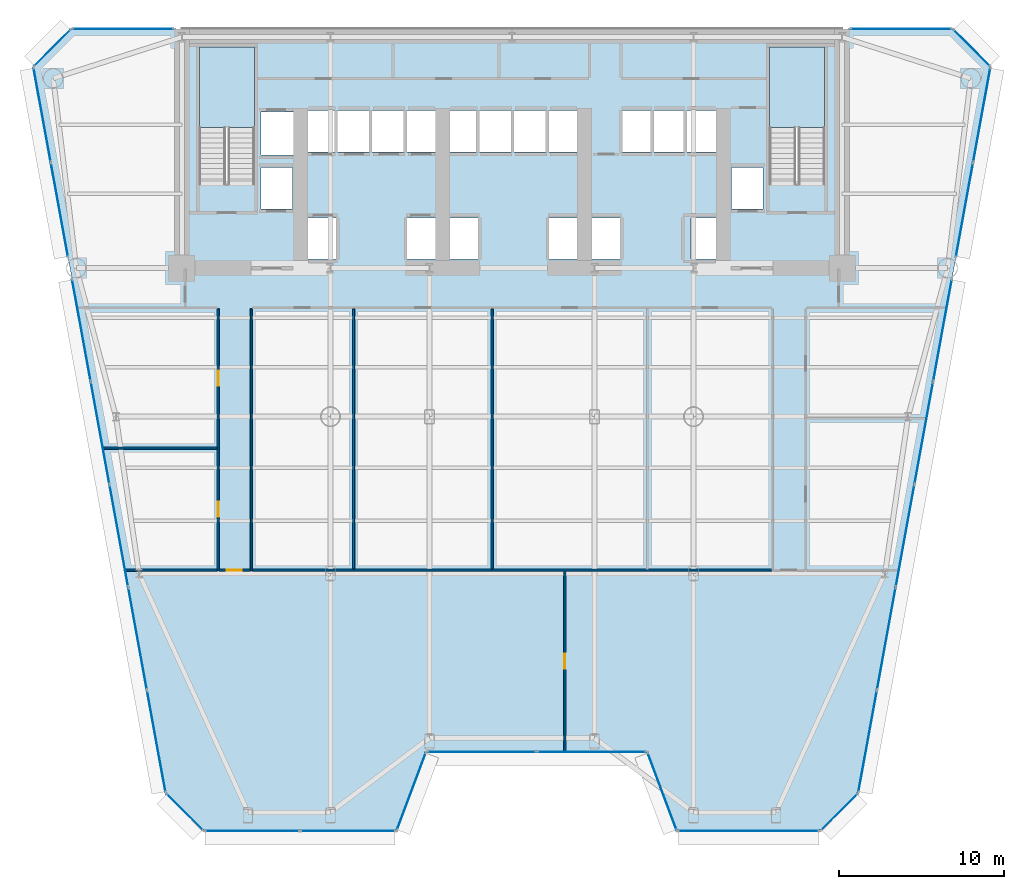
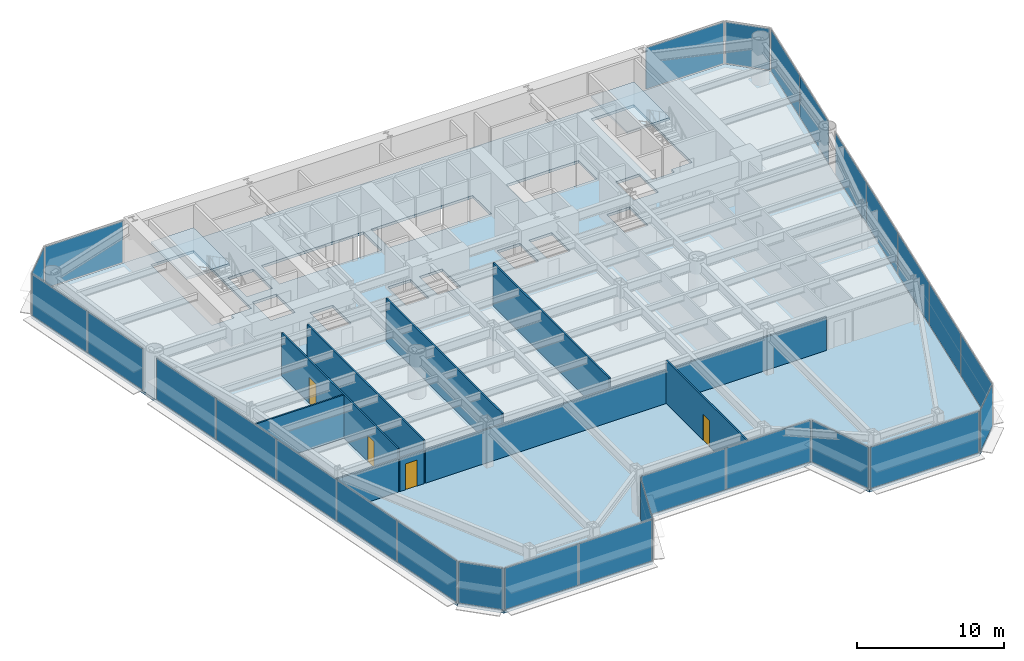
# One storey, part 7 of 14: 27 plates, 9 walls, 4 doors, 3 slabs, 4 openings, 17 elements without a shape of their own.
"""IFC4 building model written with IfcOpenShell, lengths in metres."""

import ifcopenshell
import ifcopenshell.guid

model = None  # the IFC model being written
_history = None  # IfcOwnerHistory: only IFC2X3 demands one
_inside = {}  # id of a spatial element -> (the spatial element, [elements in it])
_under = {}  # id of a project, library or spatial element -> (it, [spatial elements below it])
_declared = {}  # id of a project -> (the project, [libraries it declares])
_typed = {}  # id of a type object -> (the type object, [elements of that type])
_made_of = {}  # id of a material, layer set ... -> (it, [elements and type objects made of it])


def new_model(schema):
    """Start an empty IFC model of exactly this schema.

    Asked for "IFC4X3", IfcOpenShell would pick the latest addendum, in which some entities
    have other attributes; the version numbers below select the first issue.
    IFC2X3 requires an IfcOwnerHistory on every rooted entity: one is made here for all.
    """
    global model, _history
    if schema == "IFC4X3":
        model = ifcopenshell.file(schema_version=(4, 3, 0, 0))
    else:
        model = ifcopenshell.file(schema=schema)
    _inside.clear()
    _under.clear()
    _declared.clear()
    _typed.clear()
    _made_of.clear()
    _history = None
    if model.schema == "IFC2X3":
        org = make("IfcOrganization", Name="unknown")
        user = make(
            "IfcPersonAndOrganization",
            ThePerson=make("IfcPerson", FamilyName="unknown"),
            TheOrganization=org,
        )
        app = make(
            "IfcApplication",
            ApplicationDeveloper=org,
            Version="unknown",
            ApplicationFullName="unknown",
            ApplicationIdentifier="unknown",
        )
        _history = make(
            "IfcOwnerHistory",
            OwningUser=user,
            OwningApplication=app,
            ChangeAction="ADDED",
            CreationDate=0,
        )
    return model


def make(cls, **values):
    """One entity of the class cls with the attributes given. An attribute that is None is left unset."""
    return model.create_entity(
        cls, **{name: value for name, value in values.items() if value is not None}
    )


def rooted(cls, **values):
    """An entity with a GlobalId (a new one), such as an element, a storey or a relation."""
    return make(cls, GlobalId=ifcopenshell.guid.new(), OwnerHistory=_history, **values)


def si_unit(unit_type, name, prefix=None):
    """IfcSIUnit, for example si_unit("LENGTHUNIT", "METRE", prefix="MILLI")."""
    return make("IfcSIUnit", UnitType=unit_type, Prefix=prefix, Name=name)


def assignment(units):
    """IfcUnitAssignment: the units of a project."""
    return None if units is None else make("IfcUnitAssignment", Units=units)


def point(xyz):
    """IfcCartesianPoint."""
    return None if xyz is None else make("IfcCartesianPoint", Coordinates=xyz)


def direction(xyz):
    """IfcDirection."""
    return None if xyz is None else make("IfcDirection", DirectionRatios=xyz)


def frame(location, z_axis=None, x_axis=None):
    """IfcAxis2Placement3D, a coordinate frame: its origin and axes. An axis left out is left unset."""
    return make(
        "IfcAxis2Placement3D",
        Location=point(location),
        Axis=direction(z_axis),
        RefDirection=direction(x_axis),
    )


def frame_2d(location, x_axis=None):
    """IfcAxis2Placement2D, a coordinate frame in the plane: its origin and x axis."""
    return make(
        "IfcAxis2Placement2D", Location=point(location), RefDirection=direction(x_axis)
    )


def origin():
    """The frame at (0, 0, 0) with its axes left unset."""
    return frame((0.0, 0.0, 0.0))


def origin_2d():
    """The frame at (0, 0) in the plane with its x axis left unset."""
    return frame_2d((0.0, 0.0))


def place(relative_to, where):
    """IfcLocalPlacement: puts the frame where relative to a parent placement (None: the world)."""
    return make(
        "IfcLocalPlacement", PlacementRelTo=relative_to, RelativePlacement=where
    )


def context(
    kind, dimensions, precision=None, world=None, true_north=None, identifier=None
):
    """IfcGeometricRepresentationContext, for example the 3D "Model" context."""
    return make(
        "IfcGeometricRepresentationContext",
        ContextIdentifier=identifier,
        ContextType=kind,
        CoordinateSpaceDimension=dimensions,
        Precision=precision,
        WorldCoordinateSystem=world,
        TrueNorth=true_north,
    )


def subcontext(parent, identifier, kind, view, scale=None):
    """IfcGeometricRepresentationSubContext, for example "Body" below "Model"."""
    return make(
        "IfcGeometricRepresentationSubContext",
        ContextIdentifier=identifier,
        ContextType=kind,
        ParentContext=parent,
        TargetScale=scale,
        TargetView=view,
    )


def project(units=None, contexts=None):
    """IfcProject with its units and contexts."""
    return rooted(
        "IfcProject",
        Name="project",
        RepresentationContexts=contexts,
        UnitsInContext=assignment(units),
    )


def spatial(cls, under=None, at=None, **own):
    """A site, building, storey or space (cls), placed at a placement, below another one or the project."""
    s = rooted(cls, ObjectPlacement=at, **own)
    if under is not None:
        _under.setdefault(under.id(), (under, []))[1].append(s)
    return s


def polyline(points):
    """IfcPolyline through the points."""
    return make("IfcPolyline", Points=[point(p) for p in points])


def profile(cls, at=None, kind="AREA", **sizes):
    """A parametric profile (cls). Its sizes go by their IFC names, for example OverallWidth=200.0."""
    return make(cls, ProfileType=kind, Position=at, **sizes)


def rectangle(**sizes):
    """IfcRectangleProfileDef."""
    return profile("IfcRectangleProfileDef", **sizes)


def outline(outer, holes=None, kind="AREA"):
    """IfcArbitraryClosedProfileDef: a profile drawn as a closed curve; with holes, ...WithVoids."""
    if holes is None:
        return make("IfcArbitraryClosedProfileDef", ProfileType=kind, OuterCurve=outer)
    return make(
        "IfcArbitraryProfileDefWithVoids",
        ProfileType=kind,
        OuterCurve=outer,
        InnerCurves=holes,
    )


def extrude(swept, where, along, depth):
    """IfcExtrudedAreaSolid: the profile swept, set in the frame where, extruded along a direction by depth."""
    return make(
        "IfcExtrudedAreaSolid",
        SweptArea=swept,
        Position=where,
        ExtrudedDirection=direction(along),
        Depth=depth,
    )


def shape(context_of_items, identifier, shape_type, items):
    """IfcShapeRepresentation: the items that make up one representation, for example the "Body"."""
    return make(
        "IfcShapeRepresentation",
        ContextOfItems=context_of_items,
        RepresentationIdentifier=identifier,
        RepresentationType=shape_type,
        Items=items,
    )


def source(mapping_origin, context_of_items, identifier, shape_type, items):
    """IfcRepresentationMap: a shape defined once, which mapped items show again and again."""
    return make(
        "IfcRepresentationMap",
        MappingOrigin=mapping_origin,
        MappedRepresentation=shape(context_of_items, identifier, shape_type, items),
    )


def transform(
    local_origin,
    x_axis=None,
    y_axis=None,
    z_axis=None,
    scale=None,
    scale2=None,
    scale3=None,
    uniform=True,
):
    """IfcCartesianTransformationOperator3D, or its non-uniform kind. x_axis, y_axis, z_axis: its Axis1, 2, 3."""
    if uniform:
        return make(
            "IfcCartesianTransformationOperator3D",
            Axis1=direction(x_axis),
            Axis2=direction(y_axis),
            LocalOrigin=point(local_origin),
            Scale=scale,
            Axis3=direction(z_axis),
        )
    return make(
        "IfcCartesianTransformationOperator3DnonUniform",
        Axis1=direction(x_axis),
        Axis2=direction(y_axis),
        LocalOrigin=point(local_origin),
        Scale=scale,
        Axis3=direction(z_axis),
        Scale2=scale2,
        Scale3=scale3,
    )


def mapped(mapping_source, mapping_target):
    """IfcMappedItem: shows the shape of a source again, moved by a transform."""
    return make(
        "IfcMappedItem", MappingSource=mapping_source, MappingTarget=mapping_target
    )


def material(Name=None, Category=None):
    """IfcMaterial."""
    return make("IfcMaterial", Name=Name, Category=Category)


def layer(
    of_material, thickness, ventilated=None, Name=None, Category=None, Priority=None
):
    """IfcMaterialLayer: one layer of a wall or slab, of a material (None: an air gap)."""
    return make(
        "IfcMaterialLayer",
        Material=of_material,
        LayerThickness=thickness,
        IsVentilated=ventilated,
        Name=Name,
        Category=Category,
        Priority=Priority,
    )


def layer_set(layers, Name=None):
    """IfcMaterialLayerSet."""
    return make("IfcMaterialLayerSet", MaterialLayers=layers, LayerSetName=Name)


def made_of(thing, what):
    """Note that an element or type object is made of a material, layer set ...; save() writes the relation."""
    if what is not None:
        _made_of.setdefault(what.id(), (what, []))[1].append(thing)
    return thing


def type_object(cls, material=None, **own):
    """A type object (cls), such as IfcWallType, which elements share."""
    return made_of(rooted(cls, **own), material)


def element(
    cls,
    number,
    at=None,
    inside=None,
    cuts=None,
    type_object=None,
    material=None,
    context=None,
    identifier="Body",
    shape_type=None,
    held_by="IfcProductDefinitionShape",
    body=None,
    shapes=None,
    **own,
):
    """One element of the class cls, such as IfcWall. Its Tag is "e" and its number.

    at: its placement. inside: the storey or other place that contains it. cuts: it is an
    opening in that element (IfcRelVoidsElement). A single representation is given by context,
    identifier, shape_type and body (its items); several are given by shapes. held_by: the class
    of the entity that holds the representations. save() writes the other relations.
    """
    e = rooted(cls, Tag="e%d" % number, ObjectPlacement=at, **own)
    if body is not None:
        shapes = [shape(context, identifier, shape_type, body)]
    if shapes is not None:
        e.Representation = make(held_by, Representations=shapes)
    if inside is not None:
        _inside.setdefault(inside.id(), (inside, []))[1].append(e)
    if cuts is not None:
        rooted(
            "IfcRelVoidsElement", RelatingBuildingElement=cuts, RelatedOpeningElement=e
        )
    if type_object is not None:
        _typed.setdefault(type_object.id(), (type_object, []))[1].append(e)
    return made_of(e, material)


def fill(opening, filler):
    """IfcRelFillsElement: the door or window that sits in an opening."""
    return rooted(
        "IfcRelFillsElement",
        RelatingOpeningElement=opening,
        RelatedBuildingElement=filler,
    )


def aggregate(whole, parts):
    """IfcRelAggregates: a whole, such as a stair, and the parts it consists of."""
    return rooted("IfcRelAggregates", RelatingObject=whole, RelatedObjects=parts)


def save(model, path):
    """Write the relations noted so far, then the file.

    IfcRelAggregates (storeys below a building ...), IfcRelContainedInSpatialStructure (elements
    in a storey), IfcRelDefinesByType, IfcRelAssociatesMaterial and IfcRelDeclares: one each for
    every whole, place, type object, material and project.
    """
    for whole, parts in _under.values():
        aggregate(whole, parts)
    for where, things in _inside.values():
        rooted(
            "IfcRelContainedInSpatialStructure",
            RelatedElements=things,
            RelatingStructure=where,
        )
    for kind, things in _typed.values():
        rooted("IfcRelDefinesByType", RelatedObjects=things, RelatingType=kind)
    for what, things in _made_of.values():
        rooted("IfcRelAssociatesMaterial", RelatedObjects=things, RelatingMaterial=what)
    for by, libraries in _declared.values():
        rooted("IfcRelDeclares", RelatingContext=by, RelatedDefinitions=libraries)
    model.write(path)


model = new_model("IFC4")

# Units and contexts
model_context = context("Model", 3, precision=1e-05, world=origin(), true_north=direction((0.0, 1.0)))
body_context = subcontext(model_context, "Body", "Model", "MODEL_VIEW")
ifc_project = project(units=[si_unit("LENGTHUNIT", "METRE"), si_unit("AREAUNIT", "SQUARE_METRE"), si_unit("VOLUMEUNIT", "CUBIC_METRE"), si_unit("PLANEANGLEUNIT", "RADIAN"), si_unit("MASSUNIT", "GRAM", prefix="KILO")], contexts=[model_context])

# Site, building, storey
site_placement = place(None, origin())
site = spatial("IfcSite", under=ifc_project, at=site_placement, CompositionType="ELEMENT")
building_placement = place(site_placement, origin())
building = spatial("IfcBuilding", under=site, at=building_placement, Name="Vaeldorn Concourse Tower", CompositionType="ELEMENT")
storey_placement = place(building_placement, frame((0.0, 0.0, 56.800048828125)))
storey = spatial("IfcBuildingStorey", under=building, at=storey_placement, Name="L14", CompositionType="ELEMENT", Elevation=56.800048828125)

# Stair, slab
ifc_material_1 = material(Name="Precast concrete C40/50", Category="concrete")
stair_type = type_object("IfcStairType", Name="STR-DOG-24x158", PredefinedType="HALF_TURN_STAIR", material=ifc_material_1)
stair_1_placement = place(storey_placement, origin())
stair_1 = element("IfcStair", 1, at=stair_1_placement, inside=storey, type_object=stair_type, Name="L14 West Core Exit Stair ST-1", PredefinedType="HALF_TURN_STAIR")
ifc_material_2 = material(Name="Concrete C40/50", Category="concrete")
ifc_layer_1 = layer(ifc_material_2, 0.199951171875)
ifc_layer_set_1 = layer_set([ifc_layer_1], Name="Concrete C40/50")
slab_type_1 = type_object("IfcSlabType", Name="SL-STAIR-LANDING", PredefinedType="LANDING", material=ifc_layer_set_1)
slab_1_placement = place(storey_placement, frame((0.0, 0.0, 1.699951171875)))
slab_1 = element("IfcSlab", 2, at=slab_1_placement, type_object=slab_type_1, Name="ST-1 landing 1", PredefinedType="LANDING", context=body_context, shape_type="SweptSolid", body=[
    extrude(outline(polyline([(18.39990234375, 45.010009765625), (18.39990234375, 49.89990234375), (15.050048828125, 49.89990234375), (15.050048828125, 45.010009765625), (18.39990234375, 45.010009765625)])), origin(), (0.0, 0.0, 1.0), 0.199951171875),
])
aggregate(stair_1, [slab_1])

stair_2_placement = place(storey_placement, origin())
stair_2 = element("IfcStair", 3, at=stair_2_placement, inside=storey, type_object=stair_type, Name="L14 East Core Exit Stair ST-2", PredefinedType="HALF_TURN_STAIR")
slab_2_placement = place(storey_placement, frame((0.0, 0.0, 1.699951171875)))
slab_2 = element("IfcSlab", 4, at=slab_2_placement, type_object=slab_type_1, Name="ST-2 landing 1", PredefinedType="LANDING", context=body_context, shape_type="SweptSolid", body=[
    extrude(outline(polyline([(52.949951171875, 45.010009765625), (52.949951171875, 49.89990234375), (49.60009765625, 49.89990234375), (49.60009765625, 45.010009765625), (52.949951171875, 45.010009765625)])), origin(), (0.0, 0.0, 1.0), 0.199951171875),
])
aggregate(stair_2, [slab_2])

# Slab
ifc_layer_2 = layer(ifc_material_2, 0.219970703125)
ifc_layer_set_2 = layer_set([ifc_layer_2], Name="Concrete C40/50")
slab_type_2 = type_object("IfcSlabType", Name="SL-TYP-220", PredefinedType="FLOOR", material=ifc_layer_set_2)
slab_3_placement = place(storey_placement, frame((0.0, 0.0, -0.219970703125)))
element("IfcSlab", 5, at=slab_3_placement, inside=storey, type_object=slab_type_2, Name="Structural Floor Slab L14", PredefinedType="FLOOR", context=body_context, shape_type="SweptSolid", body=[
    extrude(outline(polyline([(15.320556640625, 2.390869140625), (27.0, 2.390869140625), (28.800048828125, 7.19091796875), (42.199951171875, 7.19091796875), (44.0, 2.390869140625), (52.679443359375, 2.390869140625), (54.9794921875, 4.69091796875), (63.0, 48.699951171875), (60.699951171875, 51.0), (7.300048828125, 51.0), (5.0, 48.699951171875), (13.0205078125, 4.69091796875), (15.320556640625, 2.390869140625)]), holes=[polyline([(18.39990234375, 42.0), (18.39990234375, 49.89990234375), (15.050048828125, 49.89990234375), (15.050048828125, 41.60009765625), (16.800048828125, 41.60009765625), (16.800048828125, 42.0), (18.39990234375, 42.0)]), polyline([(52.949951171875, 42.0), (52.949951171875, 49.89990234375), (49.60009765625, 49.89990234375), (49.60009765625, 41.60009765625), (51.35009765625, 41.60009765625), (51.35009765625, 42.0), (52.949951171875, 42.0)]), polyline([(21.550048828125, 37.050048828125), (23.35009765625, 37.050048828125), (23.35009765625, 39.550048828125), (21.550048828125, 39.550048828125), (21.550048828125, 37.050048828125)]), polyline([(27.64990234375, 37.050048828125), (29.449951171875, 37.050048828125), (29.449951171875, 39.550048828125), (27.64990234375, 39.550048828125), (27.64990234375, 37.050048828125)]), polyline([(21.5, 43.550048828125), (29.5, 43.550048828125), (29.5, 46.050048828125), (21.5, 46.050048828125), (21.5, 43.550048828125)]), polyline([(30.14990234375, 37.050048828125), (31.949951171875, 37.050048828125), (31.949951171875, 39.550048828125), (30.14990234375, 39.550048828125), (30.14990234375, 37.050048828125)]), polyline([(36.25, 37.050048828125), (38.050048828125, 37.050048828125), (38.050048828125, 39.550048828125), (36.25, 39.550048828125), (36.25, 37.050048828125)]), polyline([(30.10009765625, 43.550048828125), (38.10009765625, 43.550048828125), (38.10009765625, 46.050048828125), (30.10009765625, 46.050048828125), (30.10009765625, 43.550048828125)]), polyline([(38.75, 37.050048828125), (40.550048828125, 37.050048828125), (40.550048828125, 39.550048828125), (38.75, 39.550048828125), (38.75, 37.050048828125)]), polyline([(44.85009765625, 37.050048828125), (46.64990234375, 37.050048828125), (46.64990234375, 39.550048828125), (44.85009765625, 39.550048828125), (44.85009765625, 37.050048828125)]), polyline([(40.699951171875, 43.550048828125), (46.39990234375, 43.550048828125), (46.39990234375, 46.050048828125), (40.699951171875, 46.050048828125), (40.699951171875, 43.550048828125)]), polyline([(18.800048828125, 43.35009765625), (20.800048828125, 43.35009765625), (20.800048828125, 45.949951171875), (18.800048828125, 45.949951171875), (18.800048828125, 43.35009765625)]), polyline([(18.800048828125, 40.10009765625), (20.699951171875, 40.10009765625), (20.699951171875, 42.60009765625), (18.800048828125, 42.60009765625), (18.800048828125, 40.10009765625)]), polyline([(47.300048828125, 40.10009765625), (49.199951171875, 40.10009765625), (49.199951171875, 42.60009765625), (47.300048828125, 42.60009765625), (47.300048828125, 40.10009765625)])]), origin(), (0.0, 0.0, 1.0), 0.219970703125),
])

# Curtain wall, plate
ifc_material_3 = material(Name="Anodised Bronze Aluminium", Category="aluminium")
ifc_layer_3 = layer(ifc_material_3, 0.219970703125)
ifc_layer_set_3 = layer_set([ifc_layer_3], Name="Anodised Bronze Aluminium")
curtain_wall_type = type_object("IfcCurtainWallType", Name="CW-SYS-01", PredefinedType="NOTDEFINED", material=ifc_layer_set_3)
curtain_wall_1_placement = place(storey_placement, origin())
curtain_wall_1 = element("IfcCurtainWall", 6, at=curtain_wall_1_placement, inside=storey, type_object=curtain_wall_type, Name="Unitised Curtain Wall CW-L14-E02-1", PredefinedType="NOTDEFINED")
ifc_material_4 = material(Name="Bronze Tinted Low-E Insulated Glass", Category="glass")
ifc_layer_4 = layer(ifc_material_4, 0.031982421875)
ifc_layer_set_4 = layer_set([ifc_layer_4], Name="Bronze Tinted Low-E Insulated Glass")
plate_type = type_object("IfcPlateType", Name="CWP-VISION-32", PredefinedType="CURTAIN_PANEL", material=ifc_layer_set_4)
shared_shape_1 = source(origin(), body_context, "Body", "SweptSolid", [
    extrude(rectangle(XDim=4.976318359375, YDim=0.031982421875, at=origin_2d()), origin(), (0.0, 0.0, 1.0), 3.429931640625),
])
plate_1_placement = place(storey_placement, frame((27.89990234375, 4.790771484375, 0.0751953125), z_axis=(0.0, 0.0, 1.0), x_axis=(0.351123441595, 0.936329177566, 0.0)))
plate_1 = element("IfcPlate", 7, at=plate_1_placement, type_object=plate_type, Name="CW-01 panel 1.1", PredefinedType="CURTAIN_PANEL", context=body_context, shape_type="MappedRepresentation", body=[
    mapped(shared_shape_1, transform((0.0, 0.0, 0.0), scale=1.0)),
])
aggregate(curtain_wall_1, [plate_1])

curtain_wall_2_placement = place(storey_placement, origin())
curtain_wall_2 = element("IfcCurtainWall", 8, at=curtain_wall_2_placement, inside=storey, type_object=curtain_wall_type, Name="Unitised Curtain Wall CW-L14-E04-1", PredefinedType="NOTDEFINED")
plate_2_placement = place(storey_placement, frame((43.10009765625, 4.790771484375, 0.0751953125), z_axis=(0.0, 0.0, 1.0), x_axis=(0.351123441595, -0.936329177566, 0.0)))
plate_2 = element("IfcPlate", 9, at=plate_2_placement, type_object=plate_type, Name="CW-01 panel 1.1", PredefinedType="CURTAIN_PANEL", context=body_context, shape_type="MappedRepresentation", body=[
    mapped(shared_shape_1, transform((0.0, 0.0, 0.0), scale=1.0)),
])
aggregate(curtain_wall_2, [plate_2])

# Curtain wall, plates
curtain_wall_3_placement = place(storey_placement, origin())
curtain_wall_3 = element("IfcCurtainWall", 10, at=curtain_wall_3_placement, inside=storey, type_object=curtain_wall_type, Name="Unitised Curtain Wall CW-L14-E03-1", PredefinedType="NOTDEFINED")
shared_shape_2 = source(origin(), body_context, "Body", "SweptSolid", [
    extrude(rectangle(XDim=6.58740234375, YDim=0.031982421875, at=origin_2d()), origin(), (0.0, 0.0, 1.0), 3.429931640625),
])
plate_3_placement = place(storey_placement, frame((32.168701171875, 7.19091796875, 0.0751953125), z_axis=(0.0, 0.0, 1.0), x_axis=(1.0, 0.0, 0.0)))
plate_3 = element("IfcPlate", 11, at=plate_3_placement, type_object=plate_type, Name="CW-01 panel 1.1", PredefinedType="CURTAIN_PANEL", context=body_context, shape_type="MappedRepresentation", body=[
    mapped(shared_shape_2, transform((0.0, 0.0, 0.0), scale=1.0)),
])
plate_4_placement = place(storey_placement, frame((38.831298828125, 7.19091796875, 0.0751953125), z_axis=(0.0, 0.0, 1.0), x_axis=(1.0, 0.0, 0.0)))
plate_4 = element("IfcPlate", 12, at=plate_4_placement, type_object=plate_type, Name="CW-01 panel 2.1", PredefinedType="CURTAIN_PANEL", context=body_context, shape_type="MappedRepresentation", body=[
    mapped(shared_shape_2, transform((0.0, 0.0, 0.0), scale=1.0)),
])
aggregate(curtain_wall_3, [plate_3, plate_4])

# Curtain wall, plate
curtain_wall_4_placement = place(storey_placement, origin())
curtain_wall_4 = element("IfcCurtainWall", 13, at=curtain_wall_4_placement, inside=storey, type_object=curtain_wall_type, Name="Unitised Curtain Wall CW-L14-E06-1", PredefinedType="NOTDEFINED")
shared_shape_3 = source(origin(), body_context, "Body", "SweptSolid", [
    extrude(rectangle(XDim=3.102783203125, YDim=0.031982421875, at=origin_2d()), origin(), (0.0, 0.0, 1.0), 3.429931640625),
])
plate_5_placement = place(storey_placement, frame((53.82958984375, 3.540771484375, 0.0751953125), z_axis=(0.0, 0.0, 1.0), x_axis=(0.707106781187, 0.707106781187, 0.0)))
plate_5 = element("IfcPlate", 14, at=plate_5_placement, type_object=plate_type, Name="CW-01 panel 1.1", PredefinedType="CURTAIN_PANEL", context=body_context, shape_type="MappedRepresentation", body=[
    mapped(shared_shape_3, transform((0.0, 0.0, 0.0), scale=1.0)),
])
aggregate(curtain_wall_4, [plate_5])

curtain_wall_5_placement = place(storey_placement, origin())
curtain_wall_5 = element("IfcCurtainWall", 15, at=curtain_wall_5_placement, inside=storey, type_object=curtain_wall_type, Name="Unitised Curtain Wall CW-L14-E08-1", PredefinedType="NOTDEFINED")
plate_6_placement = place(storey_placement, frame((61.85009765625, 49.85009765625, 0.0751953125), z_axis=(0.0, 0.0, 1.0), x_axis=(-0.707106781187, 0.707106781187, 0.0)))
plate_6 = element("IfcPlate", 16, at=plate_6_placement, type_object=plate_type, Name="CW-01 panel 1.1", PredefinedType="CURTAIN_PANEL", context=body_context, shape_type="MappedRepresentation", body=[
    mapped(shared_shape_3, transform((0.0, 0.0, 0.0), scale=1.0)),
])
aggregate(curtain_wall_5, [plate_6])

curtain_wall_6_placement = place(storey_placement, origin())
curtain_wall_6 = element("IfcCurtainWall", 17, at=curtain_wall_6_placement, inside=storey, type_object=curtain_wall_type, Name="Unitised Curtain Wall CW-L14-E10-1", PredefinedType="NOTDEFINED")
plate_7_placement = place(storey_placement, frame((6.14990234375, 49.85009765625, 0.0751953125), z_axis=(0.0, 0.0, 1.0), x_axis=(-0.707106781187, -0.707106781187, 0.0)))
plate_7 = element("IfcPlate", 18, at=plate_7_placement, type_object=plate_type, Name="CW-01 panel 1.1", PredefinedType="CURTAIN_PANEL", context=body_context, shape_type="MappedRepresentation", body=[
    mapped(shared_shape_3, transform((0.0, 0.0, 0.0), scale=1.0)),
])
aggregate(curtain_wall_6, [plate_7])

curtain_wall_7_placement = place(storey_placement, origin())
curtain_wall_7 = element("IfcCurtainWall", 19, at=curtain_wall_7_placement, inside=storey, type_object=curtain_wall_type, Name="Unitised Curtain Wall CW-L14-E12-1", PredefinedType="NOTDEFINED")
plate_8_placement = place(storey_placement, frame((14.17041015625, 3.540771484375, 0.0751953125), z_axis=(0.0, 0.0, 1.0), x_axis=(0.707106781187, -0.707106781187, 0.0)))
plate_8 = element("IfcPlate", 20, at=plate_8_placement, type_object=plate_type, Name="CW-01 panel 1.1", PredefinedType="CURTAIN_PANEL", context=body_context, shape_type="MappedRepresentation", body=[
    mapped(shared_shape_3, transform((0.0, 0.0, 0.0), scale=1.0)),
])
aggregate(curtain_wall_7, [plate_8])

curtain_wall_8_placement = place(storey_placement, origin())
curtain_wall_8 = element("IfcCurtainWall", 21, at=curtain_wall_8_placement, inside=storey, type_object=curtain_wall_type, Name="Unitised Curtain Wall CW-L14-E09-1", PredefinedType="NOTDEFINED")
shared_shape_4 = source(origin(), body_context, "Body", "SweptSolid", [
    extrude(rectangle(XDim=6.10498046875, YDim=0.031982421875, at=origin_2d()), origin(), (0.0, 0.0, 1.0), 3.429931640625),
])
plate_9_placement = place(storey_placement, frame((57.572509765625, 51.0, 0.0751953125), z_axis=(0.0, 0.0, 1.0), x_axis=(-1.0, 0.0, 0.0)))
plate_9 = element("IfcPlate", 22, at=plate_9_placement, type_object=plate_type, Name="CW-01 panel 1.1", PredefinedType="CURTAIN_PANEL", context=body_context, shape_type="MappedRepresentation", body=[
    mapped(shared_shape_4, transform((0.0, 0.0, 0.0), scale=1.0)),
])
aggregate(curtain_wall_8, [plate_9])

curtain_wall_9_placement = place(storey_placement, origin())
curtain_wall_9 = element("IfcCurtainWall", 23, at=curtain_wall_9_placement, inside=storey, type_object=curtain_wall_type, Name="Unitised Curtain Wall CW-L14-E09-2", PredefinedType="NOTDEFINED")
plate_10_placement = place(storey_placement, frame((10.427490234375, 51.0, 0.0751953125), z_axis=(0.0, 0.0, 1.0), x_axis=(-1.0, 0.0, 0.0)))
plate_10 = element("IfcPlate", 24, at=plate_10_placement, type_object=plate_type, Name="CW-01 panel 1.1", PredefinedType="CURTAIN_PANEL", context=body_context, shape_type="MappedRepresentation", body=[
    mapped(shared_shape_4, transform((0.0, 0.0, 0.0), scale=1.0)),
])
aggregate(curtain_wall_9, [plate_10])

# Curtain wall, plates
curtain_wall_10_placement = place(storey_placement, origin())
curtain_wall_10 = element("IfcCurtainWall", 25, at=curtain_wall_10_placement, inside=storey, type_object=curtain_wall_type, Name="Unitised Curtain Wall CW-L14-E01-1", PredefinedType="NOTDEFINED")
shared_shape_5 = source(origin(), body_context, "Body", "SweptSolid", [
    extrude(rectangle(XDim=5.727294921875, YDim=0.031982421875, at=origin_2d()), origin(), (0.0, 0.0, 1.0), 3.429931640625),
])
plate_11_placement = place(storey_placement, frame((18.259033203125, 2.390869140625, 0.0751953125), z_axis=(0.0, 0.0, 1.0), x_axis=(1.0, 0.0, 0.0)))
plate_11 = element("IfcPlate", 26, at=plate_11_placement, type_object=plate_type, Name="CW-01 panel 1.1", PredefinedType="CURTAIN_PANEL", context=body_context, shape_type="MappedRepresentation", body=[
    mapped(shared_shape_5, transform((0.0, 0.0, 0.0), scale=1.0)),
])
plate_12_placement = place(storey_placement, frame((24.061279296875, 2.390869140625, 0.0751953125), z_axis=(0.0, 0.0, 1.0), x_axis=(1.0, 0.0, 0.0)))
plate_12 = element("IfcPlate", 27, at=plate_12_placement, type_object=plate_type, Name="CW-01 panel 2.1", PredefinedType="CURTAIN_PANEL", context=body_context, shape_type="MappedRepresentation", body=[
    mapped(shared_shape_5, transform((0.0, 0.0, 0.0), scale=1.0)),
])
aggregate(curtain_wall_10, [plate_11, plate_12])

# Curtain wall, plate
curtain_wall_11_placement = place(storey_placement, origin())
curtain_wall_11 = element("IfcCurtainWall", 28, at=curtain_wall_11_placement, inside=storey, type_object=curtain_wall_type, Name="Unitised Curtain Wall CW-L14-E05-1", PredefinedType="NOTDEFINED")
shared_shape_6 = source(origin(), body_context, "Body", "SweptSolid", [
    extrude(rectangle(XDim=8.529541015625, YDim=0.031982421875, at=origin_2d()), origin(), (0.0, 0.0, 1.0), 3.429931640625),
])
plate_13_placement = place(storey_placement, frame((48.33984375, 2.390869140625, 0.0751953125), z_axis=(0.0, 0.0, 1.0), x_axis=(1.0, 0.0, 0.0)))
plate_13 = element("IfcPlate", 29, at=plate_13_placement, type_object=plate_type, Name="CW-01 panel 1.1", PredefinedType="CURTAIN_PANEL", context=body_context, shape_type="MappedRepresentation", body=[
    mapped(shared_shape_6, transform((0.0, 0.0, 0.0), scale=1.0)),
])
aggregate(curtain_wall_11, [plate_13])

# Curtain wall, plates
curtain_wall_12_placement = place(storey_placement, origin())
curtain_wall_12 = element("IfcCurtainWall", 30, at=curtain_wall_12_placement, inside=storey, type_object=curtain_wall_type, Name="Unitised Curtain Wall CW-L14-E07-1", PredefinedType="NOTDEFINED")
shared_shape_7 = source(origin(), body_context, "Body", "SweptSolid", [
    extrude(rectangle(XDim=6.228271484375, YDim=0.031982421875, at=origin_2d()), origin(), (0.0, 0.0, 1.0), 3.429931640625),
])
plate_14_placement = place(storey_placement, frame((55.55126953125, 7.828125, 0.0751953125), z_axis=(0.0, 0.0, 1.0), x_axis=(0.179292899269, 0.9837957391, 0.0)))
plate_14 = element("IfcPlate", 31, at=plate_14_placement, type_object=plate_type, Name="CW-01 panel 1.1", PredefinedType="CURTAIN_PANEL", context=body_context, shape_type="MappedRepresentation", body=[
    mapped(shared_shape_7, transform((0.0, 0.0, 0.0), scale=1.0)),
])
plate_15_placement = place(storey_placement, frame((60.091796875, 32.7431640625, 0.0751953125), z_axis=(0.0, 0.0, 1.0), x_axis=(0.179292899269, 0.9837957391, 0.0)))
plate_15 = element("IfcPlate", 32, at=plate_15_placement, type_object=plate_type, Name="CW-01 panel 5.1", PredefinedType="CURTAIN_PANEL", context=body_context, shape_type="MappedRepresentation", body=[
    mapped(shared_shape_7, transform((0.0, 0.0, 0.0), scale=1.0)),
])

curtain_wall_13_placement = place(storey_placement, origin())
curtain_wall_13 = element("IfcCurtainWall", 33, at=curtain_wall_13_placement, inside=storey, type_object=curtain_wall_type, Name="Unitised Curtain Wall CW-L14-E11-2", PredefinedType="NOTDEFINED")
plate_16_placement = place(storey_placement, frame((7.908203125, 32.7431640625, 0.0751953125), z_axis=(0.0, 0.0, 1.0), x_axis=(0.179292899269, -0.9837957391, 0.0)))
plate_16 = element("IfcPlate", 34, at=plate_16_placement, type_object=plate_type, Name="CW-01 panel 1.1", PredefinedType="CURTAIN_PANEL", context=body_context, shape_type="MappedRepresentation", body=[
    mapped(shared_shape_7, transform((0.0, 0.0, 0.0), scale=1.0)),
])
plate_17_placement = place(storey_placement, frame((12.44873046875, 7.828125, 0.0751953125), z_axis=(0.0, 0.0, 1.0), x_axis=(0.179292899269, -0.9837957391, 0.0)))
plate_17 = element("IfcPlate", 35, at=plate_17_placement, type_object=plate_type, Name="CW-01 panel 5.1", PredefinedType="CURTAIN_PANEL", context=body_context, shape_type="MappedRepresentation", body=[
    mapped(shared_shape_7, transform((0.0, 0.0, 0.0), scale=1.0)),
])

# Plate
shared_shape_8 = source(origin(), body_context, "Body", "SweptSolid", [
    extrude(rectangle(XDim=6.265625, YDim=0.031982421875, at=origin_2d()), origin(), (0.0, 0.0, 1.0), 3.429931640625),
])
plate_18_placement = place(storey_placement, frame((56.684814453125, 14.047607421875, 0.0751953125), z_axis=(0.0, 0.0, 1.0), x_axis=(0.179292899269, 0.9837957391, 0.0)))
plate_18 = element("IfcPlate", 36, at=plate_18_placement, type_object=plate_type, Name="CW-01 panel 2.1", PredefinedType="CURTAIN_PANEL", context=body_context, shape_type="MappedRepresentation", body=[
    mapped(shared_shape_8, transform((0.0, 0.0, 0.0), scale=1.0)),
])

plate_19_placement = place(storey_placement, frame((57.821533203125, 20.28564453125, 0.0751953125), z_axis=(0.0, 0.0, 1.0), x_axis=(0.179292899269, 0.9837957391, 0.0)))
plate_19 = element("IfcPlate", 37, at=plate_19_placement, type_object=plate_type, Name="CW-01 panel 3.1", PredefinedType="CURTAIN_PANEL", context=body_context, shape_type="MappedRepresentation", body=[
    mapped(shared_shape_8, transform((0.0, 0.0, 0.0), scale=1.0)),
])

plate_20_placement = place(storey_placement, frame((58.95849609375, 26.523681640625, 0.0751953125), z_axis=(0.0, 0.0, 1.0), x_axis=(0.179292899269, 0.9837957391, 0.0)))
plate_20 = element("IfcPlate", 38, at=plate_20_placement, type_object=plate_type, Name="CW-01 panel 4.1", PredefinedType="CURTAIN_PANEL", context=body_context, shape_type="MappedRepresentation", body=[
    mapped(shared_shape_8, transform((0.0, 0.0, 0.0), scale=1.0)),
])

aggregate(curtain_wall_12, [plate_14, plate_18, plate_19, plate_20, plate_15])

plate_21_placement = place(storey_placement, frame((9.04150390625, 26.523681640625, 0.0751953125), z_axis=(0.0, 0.0, 1.0), x_axis=(0.179292899269, -0.9837957391, 0.0)))
plate_21 = element("IfcPlate", 39, at=plate_21_placement, type_object=plate_type, Name="CW-01 panel 2.1", PredefinedType="CURTAIN_PANEL", context=body_context, shape_type="MappedRepresentation", body=[
    mapped(shared_shape_8, transform((0.0, 0.0, 0.0), scale=1.0)),
])

plate_22_placement = place(storey_placement, frame((10.178466796875, 20.28564453125, 0.0751953125), z_axis=(0.0, 0.0, 1.0), x_axis=(0.179292899269, -0.9837957391, 0.0)))
plate_22 = element("IfcPlate", 40, at=plate_22_placement, type_object=plate_type, Name="CW-01 panel 3.1", PredefinedType="CURTAIN_PANEL", context=body_context, shape_type="MappedRepresentation", body=[
    mapped(shared_shape_8, transform((0.0, 0.0, 0.0), scale=1.0)),
])

plate_23_placement = place(storey_placement, frame((11.315185546875, 14.047607421875, 0.0751953125), z_axis=(0.0, 0.0, 1.0), x_axis=(0.179292899269, -0.9837957391, 0.0)))
plate_23 = element("IfcPlate", 41, at=plate_23_placement, type_object=plate_type, Name="CW-01 panel 4.1", PredefinedType="CURTAIN_PANEL", context=body_context, shape_type="MappedRepresentation", body=[
    mapped(shared_shape_8, transform((0.0, 0.0, 0.0), scale=1.0)),
])

aggregate(curtain_wall_13, [plate_16, plate_21, plate_22, plate_23, plate_17])

# Curtain wall, plates
curtain_wall_14_placement = place(storey_placement, origin())
curtain_wall_14 = element("IfcCurtainWall", 42, at=curtain_wall_14_placement, inside=storey, type_object=curtain_wall_type, Name="Unitised Curtain Wall CW-L14-E07-2", PredefinedType="NOTDEFINED")
shared_shape_9 = source(origin(), body_context, "Body", "SweptSolid", [
    extrude(rectangle(XDim=5.773193359375, YDim=0.031982421875, at=origin_2d()), origin(), (0.0, 0.0, 1.0), 3.429931640625),
])
plate_24_placement = place(storey_placement, frame((61.42041015625, 40.032958984375, 0.0751953125), z_axis=(0.0, 0.0, 1.0), x_axis=(0.179292856429, 0.983795746908, 0.0)))
plate_24 = element("IfcPlate", 43, at=plate_24_placement, type_object=plate_type, Name="CW-01 panel 1.1", PredefinedType="CURTAIN_PANEL", context=body_context, shape_type="MappedRepresentation", body=[
    mapped(shared_shape_9, transform((0.0, 0.0, 0.0), scale=1.0)),
])
plate_25_placement = place(storey_placement, frame((62.468994140625, 45.786376953125, 0.0751953125), z_axis=(0.0, 0.0, 1.0), x_axis=(0.179292856429, 0.983795746908, 0.0)))
plate_25 = element("IfcPlate", 44, at=plate_25_placement, type_object=plate_type, Name="CW-01 panel 2.1", PredefinedType="CURTAIN_PANEL", context=body_context, shape_type="MappedRepresentation", body=[
    mapped(shared_shape_9, transform((0.0, 0.0, 0.0), scale=1.0)),
])
aggregate(curtain_wall_14, [plate_24, plate_25])

curtain_wall_15_placement = place(storey_placement, origin())
curtain_wall_15 = element("IfcCurtainWall", 45, at=curtain_wall_15_placement, inside=storey, type_object=curtain_wall_type, Name="Unitised Curtain Wall CW-L14-E11-1", PredefinedType="NOTDEFINED")
plate_26_placement = place(storey_placement, frame((5.531005859375, 45.786376953125, 0.0751953125), z_axis=(0.0, 0.0, 1.0), x_axis=(0.179292856429, -0.983795746908, 0.0)))
plate_26 = element("IfcPlate", 46, at=plate_26_placement, type_object=plate_type, Name="CW-01 panel 1.1", PredefinedType="CURTAIN_PANEL", context=body_context, shape_type="MappedRepresentation", body=[
    mapped(shared_shape_9, transform((0.0, 0.0, 0.0), scale=1.0)),
])
plate_27_placement = place(storey_placement, frame((6.57958984375, 40.032958984375, 0.0751953125), z_axis=(0.0, 0.0, 1.0), x_axis=(0.179292856429, -0.983795746908, 0.0)))
plate_27 = element("IfcPlate", 47, at=plate_27_placement, type_object=plate_type, Name="CW-01 panel 2.1", PredefinedType="CURTAIN_PANEL", context=body_context, shape_type="MappedRepresentation", body=[
    mapped(shared_shape_9, transform((0.0, 0.0, 0.0), scale=1.0)),
])
aggregate(curtain_wall_15, [plate_26, plate_27])

# Wall, openings, doors
ifc_material_5 = material(Name="Gypsum Board Partition", Category="gypsum")
ifc_layer_5 = layer(ifc_material_5, 0.1201171875)
ifc_layer_set_5 = layer_set([ifc_layer_5], Name="Gypsum Board Partition")
wall_type = type_object("IfcWallType", Name="WL-PART-120", PredefinedType="PARTITIONING", material=ifc_layer_set_5)
wall_1_placement = place(storey_placement, frame((16.199951171875, 18.199951171875, 0.0), z_axis=(0.0, 0.0, 1.0), x_axis=(0.0, 1.0, 0.0)))
wall_1 = element("IfcWall", 48, at=wall_1_placement, inside=storey, type_object=wall_type, Name="Interior Wall PW-L14-CWW", PredefinedType="PARTITIONING", context=body_context, shape_type="SweptSolid", body=[
    extrude(rectangle(XDim=15.840087890625, YDim=0.1201171875, at=frame_2d((7.919921875, 0.0))), origin(), (0.0, 0.0, 1.0), 3.579833984375),
])
opening_1_placement = place(wall_1_placement, frame((3.25, 0.0, 0.0)))
opening_1 = element("IfcOpeningElement", 49, at=opening_1_placement, cuts=wall_1, Name="Opening D-03", PredefinedType="OPENING", context=body_context, shape_type="SweptSolid", body=[
    extrude(rectangle(XDim=0.89990234375, YDim=2.14990234375, at=frame_2d((0.449951171875, 1.074951171875))), frame((0.0, 0.070068359375, 0.0), z_axis=(0.0, -1.0, 0.0), x_axis=(1.0, 0.0, 0.0)), (0.0, 0.0, 1.0), 0.14013671875),
])
opening_2_placement = place(wall_1_placement, frame((11.169921875, 0.0, 0.0)))
opening_2 = element("IfcOpeningElement", 50, at=opening_2_placement, cuts=wall_1, Name="Opening D-03", PredefinedType="OPENING", context=body_context, shape_type="SweptSolid", body=[
    extrude(rectangle(XDim=0.89990234375, YDim=2.14990234375, at=frame_2d((0.449951171875, 1.074951171875))), frame((0.0, 0.070068359375, 0.0), z_axis=(0.0, -1.0, 0.0), x_axis=(1.0, 0.0, 0.0)), (0.0, 0.0, 1.0), 0.14013671875),
])
ifc_material_6 = material(Name="Acoustic Bronze-Framed Glass Door", Category="glass")
door_type = type_object("IfcDoorType", Name="DR-INT-900", OperationType="NOTDEFINED", PredefinedType="DOOR", material=ifc_material_6)
shared_shape_10 = source(origin(), body_context, "Body", "SweptSolid", [
    extrude(rectangle(XDim=0.89990234375, YDim=2.14990234375, at=frame_2d((0.449951171875, 1.074951171875))), frame((0.0, 0.02490234375, 0.0), z_axis=(0.0, -1.0, 0.0), x_axis=(1.0, 0.0, 0.0)), (0.0, 0.0, 1.0), 0.050048828125),
])
door_1_placement = place(opening_1_placement, origin())
door_1 = element("IfcDoor", 51, at=door_1_placement, inside=storey, type_object=door_type, Name="Interior Door DR-L14-W1", OperationType="SINGLE_SWING_LEFT", OverallHeight=2.14990234375, OverallWidth=0.89990234375, PredefinedType="DOOR", context=body_context, shape_type="MappedRepresentation", body=[
    mapped(shared_shape_10, transform((0.0, 0.0, 0.0), scale=1.0)),
])
fill(opening_1, door_1)
door_2_placement = place(opening_2_placement, origin())
door_2 = element("IfcDoor", 52, at=door_2_placement, inside=storey, type_object=door_type, Name="Interior Door DR-L14-W2", OperationType="SINGLE_SWING_RIGHT", OverallHeight=2.14990234375, OverallWidth=0.89990234375, PredefinedType="DOOR", context=body_context, shape_type="MappedRepresentation", body=[
    mapped(shared_shape_10, transform((0.0, 0.0, 0.0), scale=1.0)),
])
fill(opening_2, door_2)

# Wall
wall_2_placement = place(storey_placement, frame((18.199951171875, 18.199951171875, 0.0), z_axis=(0.0, 0.0, 1.0), x_axis=(0.0, 1.0, 0.0)))
element("IfcWall", 53, at=wall_2_placement, inside=storey, type_object=wall_type, Name="Interior Wall PW-L14-CWE", PredefinedType="PARTITIONING", context=body_context, shape_type="SweptSolid", body=[
    extrude(rectangle(XDim=15.840087890625, YDim=0.1201171875, at=frame_2d((7.919921875, 0.0))), origin(), (0.0, 0.0, 1.0), 3.579833984375),
])

# Wall, opening, door
wall_3_placement = place(storey_placement, frame((16.260009765625, 18.199951171875, 0.0), z_axis=(0.0, 0.0, 1.0), x_axis=(1.0, 0.0, 0.0)))
wall_3 = element("IfcWall", 54, at=wall_3_placement, inside=storey, type_object=wall_type, Name="Interior Wall PW-L14-CWS", PredefinedType="PARTITIONING", context=body_context, shape_type="SweptSolid", body=[
    extrude(rectangle(XDim=1.8798828125, YDim=0.1201171875, at=frame_2d((0.93994140625, 0.0))), origin(), (0.0, 0.0, 1.0), 2.77001953125),
])
opening_3_placement = place(wall_3_placement, frame((0.449951171875, 0.0, 0.0)))
opening_3 = element("IfcOpeningElement", 55, at=opening_3_placement, cuts=wall_3, Name="Opening D-03", PredefinedType="OPENING", context=body_context, shape_type="SweptSolid", body=[
    extrude(rectangle(XDim=0.89990234375, YDim=2.14990234375, at=frame_2d((0.449951171875, 1.074951171875))), frame((0.0, 0.070068359375, 0.0), z_axis=(0.0, -1.0, 0.0), x_axis=(1.0, 0.0, 0.0)), (0.0, 0.0, 1.0), 0.14013671875),
])
door_3_placement = place(opening_3_placement, origin())
door_3 = element("IfcDoor", 56, at=door_3_placement, inside=storey, type_object=door_type, Name="Interior Door DR-L14-SWL", OperationType="SINGLE_SWING_LEFT", OverallHeight=2.14990234375, OverallWidth=0.89990234375, PredefinedType="DOOR", context=body_context, shape_type="MappedRepresentation", body=[
    mapped(shared_shape_10, transform((0.0, 0.0, 0.0), scale=1.0)),
])
fill(opening_3, door_3)

# Walls
wall_4_placement = place(storey_placement, frame((10.598388671875, 18.199951171875, 0.0), z_axis=(0.0, 0.0, 1.0), x_axis=(1.0, 0.0, 0.0)))
element("IfcWall", 57, at=wall_4_placement, inside=storey, type_object=wall_type, Name="Interior Wall PW-L14-WY0", PredefinedType="PARTITIONING", context=body_context, shape_type="SweptSolid", body=[
    extrude(rectangle(XDim=5.54150390625, YDim=0.1201171875, at=frame_2d((2.770751953125, 0.0))), origin(), (0.0, 0.0, 1.0), 2.77001953125),
])
wall_5_placement = place(storey_placement, frame((9.25, 25.60009765625, 0.0), z_axis=(0.0, 0.0, 1.0), x_axis=(1.0, 0.0, 0.0)))
element("IfcWall", 58, at=wall_5_placement, inside=storey, type_object=wall_type, Name="Interior Wall PW-L14-WY1", PredefinedType="PARTITIONING", context=body_context, shape_type="SweptSolid", body=[
    extrude(rectangle(XDim=6.889892578125, YDim=0.1201171875, at=frame_2d((3.44482421875, 0.0))), origin(), (0.0, 0.0, 1.0), 3.579833984375),
])
wall_6_placement = place(storey_placement, frame((18.260009765625, 18.199951171875, 0.0), z_axis=(0.0, 0.0, 1.0), x_axis=(1.0, 0.0, 0.0)))
element("IfcWall", 59, at=wall_6_placement, inside=storey, type_object=wall_type, Name="Interior Wall PW-L14-HUBS", PredefinedType="PARTITIONING", context=body_context, shape_type="SweptSolid", body=[
    extrude(rectangle(XDim=31.47998046875, YDim=0.1201171875, at=frame_2d((15.739990234375, 0.0))), origin(), (0.0, 0.0, 1.0), 2.77001953125),
])
for number, where, z_axis, x_axis, name in (
    (60, (24.39990234375, 18.260009765625, 0.0), (0.0, 0.0, 1.0), (0.0, 1.0, 0.0), "Interior Wall PW-L14-HX1"),
    (61, (32.800048828125, 18.260009765625, 0.0), (0.0, 0.0, 1.0), (0.0, 1.0, 0.0), "Interior Wall PW-L14-HX2"),
):
    element("IfcWall", number, at=place(storey_placement, frame(where, z_axis=z_axis, x_axis=x_axis)), inside=storey, type_object=wall_type, Name=name, PredefinedType="PARTITIONING", context=body_context, shape_type="SweptSolid", body=[
        extrude(rectangle(XDim=15.780029296875, YDim=0.1201171875, at=frame_2d((7.89013671875, 0.0))), origin(), (0.0, 0.0, 1.0), 3.579833984375),
    ])

# Wall, opening, door
wall_7_placement = place(storey_placement, frame((37.199951171875, 7.230712890625, 0.0), z_axis=(0.0, 0.0, 1.0), x_axis=(0.0, 1.0, 0.0)))
wall_7 = element("IfcWall", 62, at=wall_7_placement, inside=storey, type_object=wall_type, Name="Interior Wall PW-L14-SMID1", PredefinedType="PARTITIONING", context=body_context, shape_type="SweptSolid", body=[
    extrude(rectangle(XDim=10.9091796875, YDim=0.1201171875, at=frame_2d((5.45458984375, 0.0))), origin(), (0.0, 0.0, 1.0), 3.579833984375),
])
opening_4_placement = place(wall_7_placement, frame((5.0048828125, 0.0, 0.0)))
opening_4 = element("IfcOpeningElement", 63, at=opening_4_placement, cuts=wall_7, Name="Opening D-03", PredefinedType="OPENING", context=body_context, shape_type="SweptSolid", body=[
    extrude(rectangle(XDim=0.89990234375, YDim=2.14990234375, at=frame_2d((0.449951171875, 1.074951171875))), frame((0.0, 0.070068359375, 0.0), z_axis=(0.0, -1.0, 0.0), x_axis=(1.0, 0.0, 0.0)), (0.0, 0.0, 1.0), 0.14013671875),
])
door_4_placement = place(opening_4_placement, origin())
door_4 = element("IfcDoor", 64, at=door_4_placement, inside=storey, type_object=door_type, Name="Interior Door DR-L14-SMID1", OperationType="SINGLE_SWING_RIGHT", OverallHeight=2.14990234375, OverallWidth=0.89990234375, PredefinedType="DOOR", context=body_context, shape_type="MappedRepresentation", body=[
    mapped(shared_shape_10, transform((0.0, 0.0, 0.0), scale=1.0)),
])
fill(opening_4, door_4)

save(model, "model.ifc")
